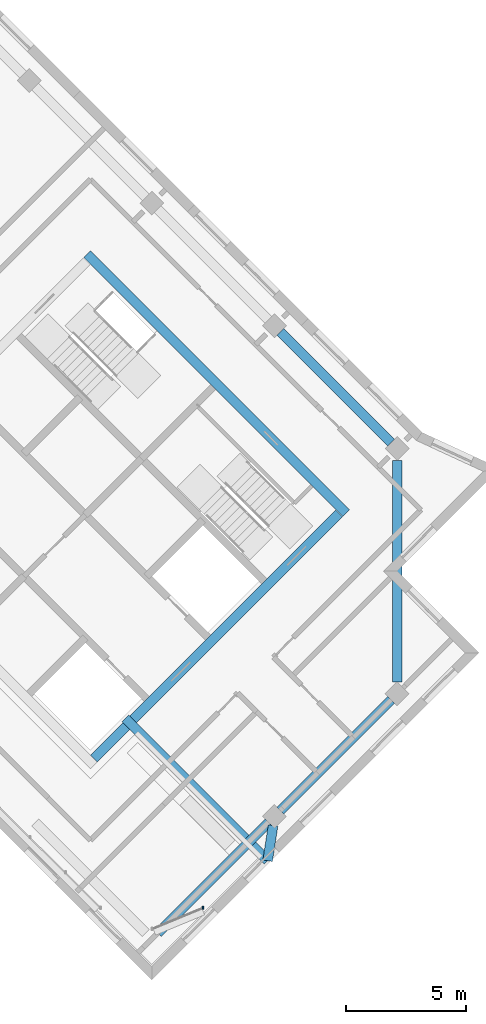
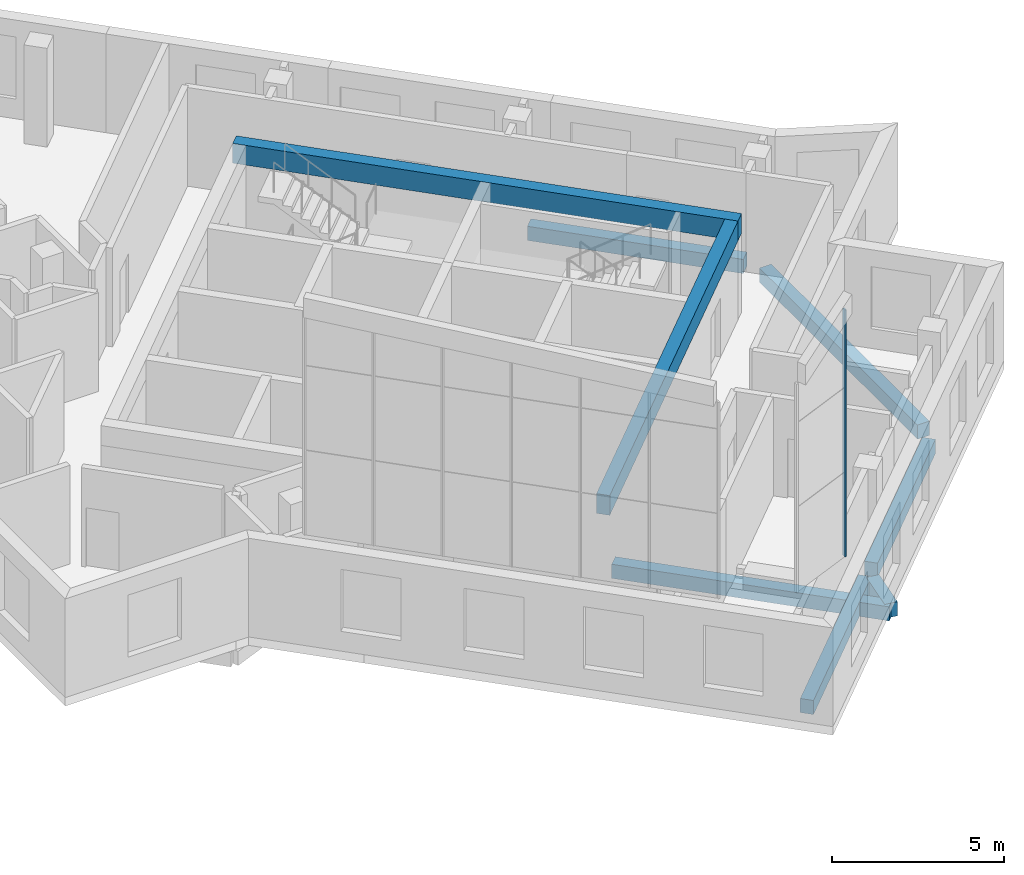
# One storey, part 4 of 13: 8 beams, 1 member, 1 element without a shape of its own.
"""IFC4 building model written with IfcOpenShell, lengths in metres."""

from ifc_helpers import new_model, si_unit, direction, frame, origin, origin_2d, place, context, subcontext, project, spatial, rectangle, extrude, material, material_profile, profile_set, type_object, element, aggregate, save


model = new_model("IFC4")

# Units and contexts
model_context = context("Model", 3, precision=1e-05, world=origin(), true_north=direction((0.0, 1.0)))
body_context = subcontext(model_context, "Body", "Model", "MODEL_VIEW")
ifc_project = project(units=[si_unit("LENGTHUNIT", "METRE"), si_unit("AREAUNIT", "SQUARE_METRE"), si_unit("VOLUMEUNIT", "CUBIC_METRE"), si_unit("PLANEANGLEUNIT", "RADIAN"), si_unit("MASSUNIT", "GRAM", prefix="KILO")], contexts=[model_context])

# Site, building, storey
site_placement = place(None, origin())
site = spatial("IfcSite", under=ifc_project, at=site_placement, CompositionType="ELEMENT")
building_placement = place(site_placement, origin())
building = spatial("IfcBuilding", under=site, at=building_placement, Name="Windrow Commons", CompositionType="ELEMENT")
storey_placement = place(building_placement, frame((0.0, 0.0, 294.4)))
storey = spatial("IfcBuildingStorey", under=building, at=storey_placement, Name="L80", CompositionType="ELEMENT", Elevation=294.4)

# Curtain wall, member
ifc_material_1 = material(Name="Laminated glass in anodised aluminium frame", Category="aluminium")
curtain_wall_type = type_object("IfcCurtainWallType", Name="Curtain wall crown terrace screen", PredefinedType="USERDEFINED", material=ifc_material_1)
curtain_wall_placement = place(storey_placement, origin())
curtain_wall = element("IfcCurtainWall", 1, at=curtain_wall_placement, inside=storey, type_object=curtain_wall_type, Name="Glazed crown screen L80", ObjectType="STICK", PredefinedType="USERDEFINED")
ifc_material_2 = material(Name="Anodised aluminium", Category="aluminium")
ifc_material_profile_1 = material_profile(ifc_material_2, rectangle(XDim=0.06, YDim=0.12, at=origin_2d()))
ifc_profile_set_1 = profile_set([ifc_material_profile_1], Name="Anodised aluminium")
member_type = type_object("IfcMemberType", Name="Crown screen mullion 60x120", PredefinedType="MULLION", material=ifc_profile_set_1)
member_placement = place(storey_placement, frame((91.506, 32.5741, 3.5), z_axis=(0.0, 0.0, 1.0), x_axis=(1.0, 0.0, 0.0)))
member = element("IfcMember", 2, at=member_placement, type_object=member_type, Name="Crown screen mullion L80", PredefinedType="MULLION", context=body_context, shape_type="SweptSolid", body=[
    extrude(rectangle(XDim=0.06, YDim=0.12, at=origin_2d()), origin(), (0.0, 0.0, 1.0), 8.7589),
])
aggregate(curtain_wall, [member])

# Beams
ifc_material_3 = material(Name="Concrete C40/50", Category="concrete")
ifc_material_profile_2 = material_profile(ifc_material_3, rectangle(XDim=0.4, YDim=0.7, at=origin_2d()))
ifc_profile_set_2 = profile_set([ifc_material_profile_2], Name="Concrete C40/50")
beam_type_1 = type_object("IfcBeamType", Name="RC COUPLING BEAM 400x700 C40/50", PredefinedType="LINTEL", material=ifc_profile_set_2)
beam_1_placement = place(storey_placement, frame((86.6953, 59.6963, 3.15), z_axis=(0.7071100706, -0.7071034917, 0.0), x_axis=(0.7071034917, 0.7071100706, 0.0)))
element("IfcBeam", 3, at=beam_1_placement, inside=storey, type_object=beam_type_1, Name="Core B coupling beam outer-N", PredefinedType="LINTEL", context=body_context, shape_type="SweptSolid", body=[
    extrude(rectangle(XDim=0.4, YDim=0.7, at=origin_2d()), origin(), (0.0, 0.0, 1.0), 15.2),
])
beam_2_placement = place(storey_placement, frame((86.9782, 38.766, 3.15), z_axis=(0.7071067812, 0.7071067812, 0.0), x_axis=(-0.7071067812, 0.7071067812, 0.0)))
element("IfcBeam", 4, at=beam_2_placement, inside=storey, type_object=beam_type_1, Name="Core B coupling beam outer-E", PredefinedType="LINTEL", context=body_context, shape_type="SweptSolid", body=[
    extrude(rectangle(XDim=0.4, YDim=0.7, at=origin_2d()), origin(), (0.0, 0.0, 1.0), 14.3999),
])
ifc_material_4 = material(Name="Concrete C40/50", Category="concrete")
ifc_material_profile_3 = material_profile(ifc_material_4, rectangle(XDim=0.4, YDim=0.5, at=origin_2d()))
ifc_profile_set_3 = profile_set([ifc_material_profile_3], Name="Concrete C40/50")
beam_type_2 = type_object("IfcBeamType", Name="RC EDGE BEAM 400x500 C40/50", PredefinedType="SPANDREL", material=ifc_profile_set_3)
beam_3_placement = place(storey_placement, frame((88.2863, 40.4277, -0.55), z_axis=(0.7071067812, -0.7071067812, 0.0), x_axis=(0.7071067812, 0.7071067812, 0.0)))
element("IfcBeam", 5, at=beam_3_placement, inside=storey, type_object=beam_type_2, Name="Terrace base beam TR-L80-5", PredefinedType="SPANDREL", context=body_context, shape_type="SweptSolid", body=[
    extrude(rectangle(XDim=0.4, YDim=0.5, at=origin_2d()), origin(), (0.0, 0.0, 1.0), 8.3501),
])
beam_4_placement = place(storey_placement, frame((94.4151, 35.9822, -0.55), z_axis=(-0.1520266388, -0.9883763965, 0.0), x_axis=(0.9883763965, -0.1520266388, 0.0)))
element("IfcBeam", 6, at=beam_4_placement, inside=storey, type_object=beam_type_2, Name="Terrace base bracket beam TR-L80-5.2", PredefinedType="SPANDREL", context=body_context, shape_type="SweptSolid", body=[
    extrude(rectangle(XDim=0.4, YDim=0.5, at=origin_2d()), origin(), (0.0, 0.0, 1.0), 1.4761),
])
beam_5_placement = place(storey_placement, frame((94.721, 56.479, -0.55), z_axis=(0.7071067812, -0.7071067812, 0.0), x_axis=(0.7071067812, 0.7071067812, 0.0)))
element("IfcBeam", 7, at=beam_5_placement, inside=storey, type_object=beam_type_2, Name="Edge beam L80 012", PredefinedType="SPANDREL", context=body_context, shape_type="SweptSolid", body=[
    extrude(rectangle(XDim=0.4, YDim=0.5, at=origin_2d()), origin(), (0.0, 0.0, 1.0), 6.5),
])
beam_6_placement = place(storey_placement, frame((99.5647, 51.1403, -0.55), z_axis=(0.0, -1.0, 0.0), x_axis=(1.0, 0.0, 0.0)))
element("IfcBeam", 8, at=beam_6_placement, inside=storey, type_object=beam_type_2, Name="Edge beam L80 013", PredefinedType="SPANDREL", context=body_context, shape_type="SweptSolid", body=[
    extrude(rectangle(XDim=0.4, YDim=0.5, at=origin_2d()), origin(), (0.0, 0.0, 1.0), 9.1923),
])
for number, where, z_axis, x_axis, name in (
    (9, (99.3172, 41.2055, -0.55), (-0.7071067812, -0.7071067812, 0.0), (0.7071067812, -0.7071067812, 0.0), "Edge beam L80 014"),
    (10, (94.226, 36.1143, -0.55), (-0.7071067812, -0.7071067812, 0.0), (0.7071067812, -0.7071067812, 0.0), "Edge beam L80 015"),
):
    element("IfcBeam", number, at=place(storey_placement, frame(where, z_axis=z_axis, x_axis=x_axis)), inside=storey, type_object=beam_type_2, Name=name, PredefinedType="SPANDREL", context=body_context, shape_type="SweptSolid", body=[
        extrude(rectangle(XDim=0.4, YDim=0.5, at=origin_2d()), origin(), (0.0, 0.0, 1.0), 6.5),
    ])

save(model, "model.ifc")
